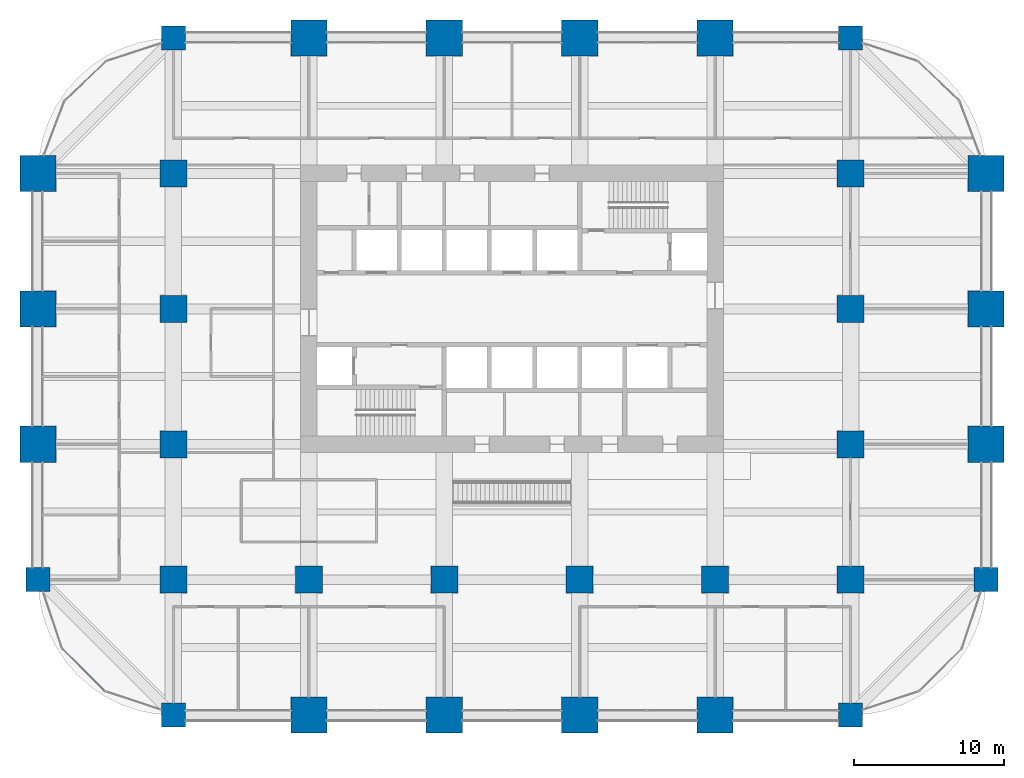
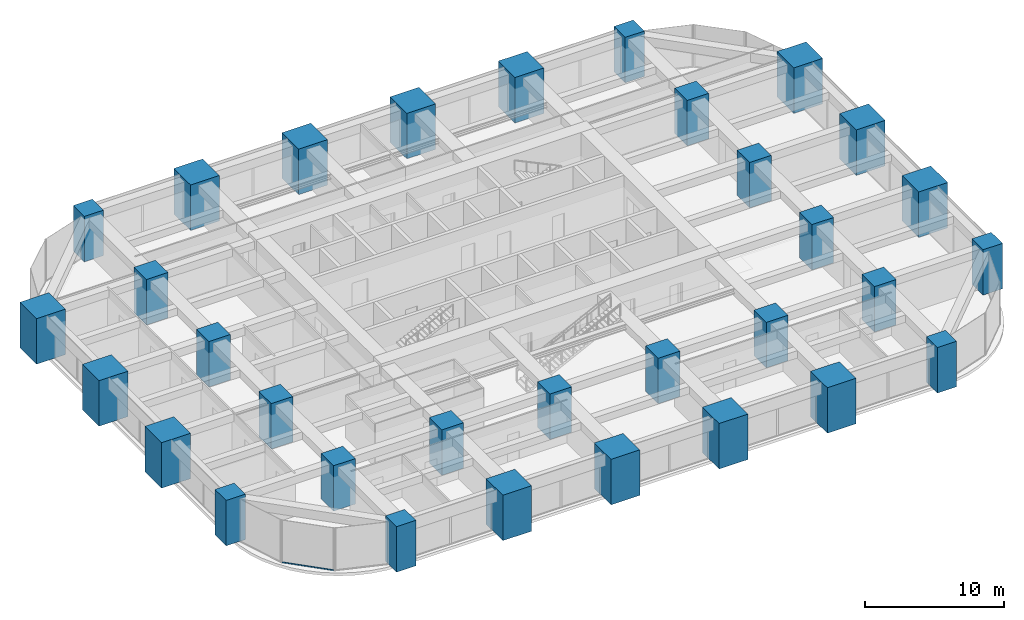
# One storey, part 1 of 41: 32 columns, 1 member, 1 element without a shape of its own.
"""IFC4 building model written with IfcOpenShell, lengths in metres."""

import ifcopenshell
import ifcopenshell.guid

model = None  # the IFC model being written
_history = None  # IfcOwnerHistory: only IFC2X3 demands one
_inside = {}  # id of a spatial element -> (the spatial element, [elements in it])
_under = {}  # id of a project, library or spatial element -> (it, [spatial elements below it])
_declared = {}  # id of a project -> (the project, [libraries it declares])
_typed = {}  # id of a type object -> (the type object, [elements of that type])
_made_of = {}  # id of a material, layer set ... -> (it, [elements and type objects made of it])


def new_model(schema):
    """Start an empty IFC model of exactly this schema.

    Asked for "IFC4X3", IfcOpenShell would pick the latest addendum, in which some entities
    have other attributes; the version numbers below select the first issue.
    IFC2X3 requires an IfcOwnerHistory on every rooted entity: one is made here for all.
    """
    global model, _history
    if schema == "IFC4X3":
        model = ifcopenshell.file(schema_version=(4, 3, 0, 0))
    else:
        model = ifcopenshell.file(schema=schema)
    _inside.clear()
    _under.clear()
    _declared.clear()
    _typed.clear()
    _made_of.clear()
    _history = None
    if model.schema == "IFC2X3":
        org = make("IfcOrganization", Name="unknown")
        user = make(
            "IfcPersonAndOrganization",
            ThePerson=make("IfcPerson", FamilyName="unknown"),
            TheOrganization=org,
        )
        app = make(
            "IfcApplication",
            ApplicationDeveloper=org,
            Version="unknown",
            ApplicationFullName="unknown",
            ApplicationIdentifier="unknown",
        )
        _history = make(
            "IfcOwnerHistory",
            OwningUser=user,
            OwningApplication=app,
            ChangeAction="ADDED",
            CreationDate=0,
        )
    return model


def make(cls, **values):
    """One entity of the class cls with the attributes given. An attribute that is None is left unset."""
    return model.create_entity(
        cls, **{name: value for name, value in values.items() if value is not None}
    )


def rooted(cls, **values):
    """An entity with a GlobalId (a new one), such as an element, a storey or a relation."""
    return make(cls, GlobalId=ifcopenshell.guid.new(), OwnerHistory=_history, **values)


def si_unit(unit_type, name, prefix=None):
    """IfcSIUnit, for example si_unit("LENGTHUNIT", "METRE", prefix="MILLI")."""
    return make("IfcSIUnit", UnitType=unit_type, Prefix=prefix, Name=name)


def assignment(units):
    """IfcUnitAssignment: the units of a project."""
    return None if units is None else make("IfcUnitAssignment", Units=units)


def point(xyz):
    """IfcCartesianPoint."""
    return None if xyz is None else make("IfcCartesianPoint", Coordinates=xyz)


def direction(xyz):
    """IfcDirection."""
    return None if xyz is None else make("IfcDirection", DirectionRatios=xyz)


def frame(location, z_axis=None, x_axis=None):
    """IfcAxis2Placement3D, a coordinate frame: its origin and axes. An axis left out is left unset."""
    return make(
        "IfcAxis2Placement3D",
        Location=point(location),
        Axis=direction(z_axis),
        RefDirection=direction(x_axis),
    )


def frame_2d(location, x_axis=None):
    """IfcAxis2Placement2D, a coordinate frame in the plane: its origin and x axis."""
    return make(
        "IfcAxis2Placement2D", Location=point(location), RefDirection=direction(x_axis)
    )


def origin():
    """The frame at (0, 0, 0) with its axes left unset."""
    return frame((0.0, 0.0, 0.0))


def origin_2d():
    """The frame at (0, 0) in the plane with its x axis left unset."""
    return frame_2d((0.0, 0.0))


def place(relative_to, where):
    """IfcLocalPlacement: puts the frame where relative to a parent placement (None: the world)."""
    return make(
        "IfcLocalPlacement", PlacementRelTo=relative_to, RelativePlacement=where
    )


def context(
    kind, dimensions, precision=None, world=None, true_north=None, identifier=None
):
    """IfcGeometricRepresentationContext, for example the 3D "Model" context."""
    return make(
        "IfcGeometricRepresentationContext",
        ContextIdentifier=identifier,
        ContextType=kind,
        CoordinateSpaceDimension=dimensions,
        Precision=precision,
        WorldCoordinateSystem=world,
        TrueNorth=true_north,
    )


def subcontext(parent, identifier, kind, view, scale=None):
    """IfcGeometricRepresentationSubContext, for example "Body" below "Model"."""
    return make(
        "IfcGeometricRepresentationSubContext",
        ContextIdentifier=identifier,
        ContextType=kind,
        ParentContext=parent,
        TargetScale=scale,
        TargetView=view,
    )


def project(units=None, contexts=None):
    """IfcProject with its units and contexts."""
    return rooted(
        "IfcProject",
        Name="project",
        RepresentationContexts=contexts,
        UnitsInContext=assignment(units),
    )


def spatial(cls, under=None, at=None, **own):
    """A site, building, storey or space (cls), placed at a placement, below another one or the project."""
    s = rooted(cls, ObjectPlacement=at, **own)
    if under is not None:
        _under.setdefault(under.id(), (under, []))[1].append(s)
    return s


def profile(cls, at=None, kind="AREA", **sizes):
    """A parametric profile (cls). Its sizes go by their IFC names, for example OverallWidth=200.0."""
    return make(cls, ProfileType=kind, Position=at, **sizes)


def rectangle(**sizes):
    """IfcRectangleProfileDef."""
    return profile("IfcRectangleProfileDef", **sizes)


def hollow_rectangle(**sizes):
    """IfcRectangleHollowProfileDef."""
    return profile("IfcRectangleHollowProfileDef", **sizes)


def extrude(swept, where, along, depth):
    """IfcExtrudedAreaSolid: the profile swept, set in the frame where, extruded along a direction by depth."""
    return make(
        "IfcExtrudedAreaSolid",
        SweptArea=swept,
        Position=where,
        ExtrudedDirection=direction(along),
        Depth=depth,
    )


def shape(context_of_items, identifier, shape_type, items):
    """IfcShapeRepresentation: the items that make up one representation, for example the "Body"."""
    return make(
        "IfcShapeRepresentation",
        ContextOfItems=context_of_items,
        RepresentationIdentifier=identifier,
        RepresentationType=shape_type,
        Items=items,
    )


def material(Name=None, Category=None):
    """IfcMaterial."""
    return make("IfcMaterial", Name=Name, Category=Category)


def material_profile(
    of_material, cross_section, Name=None, Category=None, Priority=None
):
    """IfcMaterialProfile: a cross section and its material."""
    return make(
        "IfcMaterialProfile",
        Name=Name,
        Material=of_material,
        Profile=cross_section,
        Priority=Priority,
        Category=Category,
    )


def profile_set(profiles, Name=None, composite=None):
    """IfcMaterialProfileSet."""
    return make(
        "IfcMaterialProfileSet",
        Name=Name,
        MaterialProfiles=profiles,
        CompositeProfile=composite,
    )


def made_of(thing, what):
    """Note that an element or type object is made of a material, layer set ...; save() writes the relation."""
    if what is not None:
        _made_of.setdefault(what.id(), (what, []))[1].append(thing)
    return thing


def type_object(cls, material=None, **own):
    """A type object (cls), such as IfcWallType, which elements share."""
    return made_of(rooted(cls, **own), material)


def element(
    cls,
    number,
    at=None,
    inside=None,
    cuts=None,
    type_object=None,
    material=None,
    context=None,
    identifier="Body",
    shape_type=None,
    held_by="IfcProductDefinitionShape",
    body=None,
    shapes=None,
    **own,
):
    """One element of the class cls, such as IfcWall. Its Tag is "e" and its number.

    at: its placement. inside: the storey or other place that contains it. cuts: it is an
    opening in that element (IfcRelVoidsElement). A single representation is given by context,
    identifier, shape_type and body (its items); several are given by shapes. held_by: the class
    of the entity that holds the representations. save() writes the other relations.
    """
    e = rooted(cls, Tag="e%d" % number, ObjectPlacement=at, **own)
    if body is not None:
        shapes = [shape(context, identifier, shape_type, body)]
    if shapes is not None:
        e.Representation = make(held_by, Representations=shapes)
    if inside is not None:
        _inside.setdefault(inside.id(), (inside, []))[1].append(e)
    if cuts is not None:
        rooted(
            "IfcRelVoidsElement", RelatingBuildingElement=cuts, RelatedOpeningElement=e
        )
    if type_object is not None:
        _typed.setdefault(type_object.id(), (type_object, []))[1].append(e)
    return made_of(e, material)


def aggregate(whole, parts):
    """IfcRelAggregates: a whole, such as a stair, and the parts it consists of."""
    return rooted("IfcRelAggregates", RelatingObject=whole, RelatedObjects=parts)


def save(model, path):
    """Write the relations noted so far, then the file.

    IfcRelAggregates (storeys below a building ...), IfcRelContainedInSpatialStructure (elements
    in a storey), IfcRelDefinesByType, IfcRelAssociatesMaterial and IfcRelDeclares: one each for
    every whole, place, type object, material and project.
    """
    for whole, parts in _under.values():
        aggregate(whole, parts)
    for where, things in _inside.values():
        rooted(
            "IfcRelContainedInSpatialStructure",
            RelatedElements=things,
            RelatingStructure=where,
        )
    for kind, things in _typed.values():
        rooted("IfcRelDefinesByType", RelatedObjects=things, RelatingType=kind)
    for what, things in _made_of.values():
        rooted("IfcRelAssociatesMaterial", RelatedObjects=things, RelatingMaterial=what)
    for by, libraries in _declared.values():
        rooted("IfcRelDeclares", RelatingContext=by, RelatedDefinitions=libraries)
    model.write(path)


model = new_model("IFC4")

# Units and contexts
model_context = context("Model", 3, precision=1e-05, world=origin(), true_north=direction((0.0, 1.0)))
body_context = subcontext(model_context, "Body", "Model", "MODEL_VIEW")
ifc_project = project(units=[si_unit("LENGTHUNIT", "METRE"), si_unit("AREAUNIT", "SQUARE_METRE"), si_unit("VOLUMEUNIT", "CUBIC_METRE"), si_unit("PLANEANGLEUNIT", "RADIAN"), si_unit("MASSUNIT", "GRAM", prefix="KILO")], contexts=[model_context])

# Site, building, storey
site_placement = place(None, origin())
site = spatial("IfcSite", under=ifc_project, at=site_placement, CompositionType="ELEMENT")
building_placement = place(site_placement, origin())
building = spatial("IfcBuilding", under=site, at=building_placement, Name="Zorevar Civic Tower", CompositionType="ELEMENT")
storey_placement = place(building_placement, frame((0.0, 0.0, 137.0)))
storey = spatial("IfcBuildingStorey", under=building, at=storey_placement, Name="L33", CompositionType="ELEMENT", Elevation=137.0)

# Columns
ifc_material_1 = material(Name="Concrete C50/60", Category="concrete")
ifc_material_profile_1 = material_profile(ifc_material_1, rectangle(XDim=1.60009765625, YDim=1.60009765625, at=origin_2d()), Name="RC 1600x1600")
ifc_profile_set_1 = profile_set([ifc_material_profile_1], Name="Concrete C50/60")
column_type_1 = type_object("IfcColumnType", Name="Column RC 1600x1600", PredefinedType="COLUMN", material=ifc_profile_set_1)
for number, where, z_axis, x_axis, name in (
    (1, (0.0, 9.0, 0.0), (0.0, 0.0, 1.0), (1.0, 0.0, 0.0), "Column 2B L33"),
    (2, (9.0, 0.0, 0.0), (0.0, 0.0, 1.0), (1.0, 0.0, 0.0), "Column 3A L33"),
    (3, (9.0, 45.0, 0.0), (0.0, 0.0, 1.0), (1.0, 0.0, 0.0), "Column 3F L33"),
    (4, (54.0, 0.0, 0.0), (0.0, 0.0, 1.0), (1.0, 0.0, 0.0), "Column 8A L33"),
    (5, (54.0, 45.0, 0.0), (0.0, 0.0, 1.0), (1.0, 0.0, 0.0), "Column 8F L33"),
    (6, (63.0, 9.0, 0.0), (0.0, 0.0, 1.0), (1.0, 0.0, 0.0), "Column 9B L33"),
):
    element("IfcColumn", number, at=place(storey_placement, frame(where, z_axis=z_axis, x_axis=x_axis)), inside=storey, type_object=column_type_1, Name=name, PredefinedType="COLUMN", context=body_context, shape_type="SweptSolid", body=[
        extrude(rectangle(XDim=1.60009765625, YDim=1.60009765625, at=origin_2d()), origin(), (0.0, 0.0, 1.0), 4.0),
    ])
ifc_material_2 = material(Name="Concrete C50/60", Category="concrete")
ifc_material_profile_2 = material_profile(ifc_material_2, rectangle(XDim=1.800048828125, YDim=1.800048828125, at=origin_2d()), Name="RC 1800x1800")
ifc_profile_set_2 = profile_set([ifc_material_profile_2], Name="Concrete C50/60")
column_type_2 = type_object("IfcColumnType", Name="Column RC 1800x1800", PredefinedType="COLUMN", material=ifc_profile_set_2)
for number, where, z_axis, x_axis, name in (
    (7, (9.0, 9.0, 0.0), (0.0, 0.0, 1.0), (1.0, 0.0, 0.0), "Column 3B L33"),
    (8, (9.0, 18.0, 0.0), (0.0, 0.0, 1.0), (1.0, 0.0, 0.0), "Column 3C L33"),
    (9, (9.0, 27.0, 0.0), (0.0, 0.0, 1.0), (1.0, 0.0, 0.0), "Column 3D L33"),
    (10, (9.0, 36.0, 0.0), (0.0, 0.0, 1.0), (1.0, 0.0, 0.0), "Column 3E L33"),
    (11, (18.0, 9.0, 0.0), (0.0, 0.0, 1.0), (1.0, 0.0, 0.0), "Column 4B L33"),
    (12, (27.0, 9.0, 0.0), (0.0, 0.0, 1.0), (1.0, 0.0, 0.0), "Column 5B L33"),
    (13, (36.0, 9.0, 0.0), (0.0, 0.0, 1.0), (1.0, 0.0, 0.0), "Column 6B L33"),
    (14, (45.0, 9.0, 0.0), (0.0, 0.0, 1.0), (1.0, 0.0, 0.0), "Column 7B L33"),
    (15, (54.0, 9.0, 0.0), (0.0, 0.0, 1.0), (1.0, 0.0, 0.0), "Column 8B L33"),
    (16, (54.0, 18.0, 0.0), (0.0, 0.0, 1.0), (1.0, 0.0, 0.0), "Column 8C L33"),
    (17, (54.0, 27.0, 0.0), (0.0, 0.0, 1.0), (1.0, 0.0, 0.0), "Column 8D L33"),
    (18, (54.0, 36.0, 0.0), (0.0, 0.0, 1.0), (1.0, 0.0, 0.0), "Column 8E L33"),
):
    element("IfcColumn", number, at=place(storey_placement, frame(where, z_axis=z_axis, x_axis=x_axis)), inside=storey, type_object=column_type_2, Name=name, PredefinedType="COLUMN", context=body_context, shape_type="SweptSolid", body=[
        extrude(rectangle(XDim=1.800048828125, YDim=1.800048828125, at=origin_2d()), origin(), (0.0, 0.0, 1.0), 4.0),
    ])
ifc_material_3 = material(Name="Concrete C50/60", Category="concrete")
ifc_material_profile_3 = material_profile(ifc_material_3, rectangle(XDim=2.39990234375, YDim=2.39990234375, at=origin_2d()), Name="RC 2400x2400")
ifc_profile_set_3 = profile_set([ifc_material_profile_3], Name="Concrete C50/60")
column_type_3 = type_object("IfcColumnType", Name="Mega column RC 2400x2400", PredefinedType="COLUMN", material=ifc_profile_set_3)
for number, where, z_axis, x_axis, name in (
    (19, (0.0, 18.0, 0.0), (0.0, 0.0, 1.0), (1.0, 0.0, 0.0), "Column 2C L33"),
    (20, (0.0, 27.0, 0.0), (0.0, 0.0, 1.0), (1.0, 0.0, 0.0), "Column 2D L33"),
    (21, (0.0, 36.0, 0.0), (0.0, 0.0, 1.0), (1.0, 0.0, 0.0), "Column 2E L33"),
    (22, (18.0, 0.0, 0.0), (0.0, 0.0, 1.0), (1.0, 0.0, 0.0), "Column 4A L33"),
    (23, (18.0, 45.0, 0.0), (0.0, 0.0, 1.0), (1.0, 0.0, 0.0), "Column 4F L33"),
    (24, (27.0, 0.0, 0.0), (0.0, 0.0, 1.0), (1.0, 0.0, 0.0), "Column 5A L33"),
    (25, (27.0, 45.0, 0.0), (0.0, 0.0, 1.0), (1.0, 0.0, 0.0), "Column 5F L33"),
    (26, (36.0, 0.0, 0.0), (0.0, 0.0, 1.0), (1.0, 0.0, 0.0), "Column 6A L33"),
    (27, (36.0, 45.0, 0.0), (0.0, 0.0, 1.0), (1.0, 0.0, 0.0), "Column 6F L33"),
    (28, (45.0, 0.0, 0.0), (0.0, 0.0, 1.0), (1.0, 0.0, 0.0), "Column 7A L33"),
    (29, (45.0, 45.0, 0.0), (0.0, 0.0, 1.0), (1.0, 0.0, 0.0), "Column 7F L33"),
    (30, (63.0, 18.0, 0.0), (0.0, 0.0, 1.0), (1.0, 0.0, 0.0), "Column 9C L33"),
    (31, (63.0, 27.0, 0.0), (0.0, 0.0, 1.0), (1.0, 0.0, 0.0), "Column 9D L33"),
    (32, (63.0, 36.0, 0.0), (0.0, 0.0, 1.0), (1.0, 0.0, 0.0), "Column 9E L33"),
):
    element("IfcColumn", number, at=place(storey_placement, frame(where, z_axis=z_axis, x_axis=x_axis)), inside=storey, type_object=column_type_3, Name=name, PredefinedType="COLUMN", context=body_context, shape_type="SweptSolid", body=[
        extrude(rectangle(XDim=2.39990234375, YDim=2.39990234375, at=origin_2d()), origin(), (0.0, 0.0, 1.0), 4.0),
    ])

# Curtain wall, member
ifc_material_4 = material(Name="Dark grey solar-control glass in black aluminium frame", Category="aluminium")
curtain_wall_type = type_object("IfcCurtainWallType", Name="Curtain wall CW3 mid zone", PredefinedType="NOTDEFINED", material=ifc_material_4)
curtain_wall_placement = place(storey_placement, origin())
curtain_wall = element("IfcCurtainWall", 33, at=curtain_wall_placement, inside=storey, type_object=curtain_wall_type, Name="CW3 L33", PredefinedType="NOTDEFINED")
ifc_material_5 = material(Name="Aluminium, black anodised", Category="aluminium")
ifc_material_profile_4 = material_profile(ifc_material_5, hollow_rectangle(XDim=0.06005859375, YDim=0.1201171875, WallThickness=0.0029296875, at=origin_2d()), Name="AL 120x60x3")
ifc_profile_set_4 = profile_set([ifc_material_profile_4], Name="Aluminium, black anodised")
member_type = type_object("IfcMemberType", Name="CW3 transom AL 120x60x3", PredefinedType="USERDEFINED", material=ifc_profile_set_4)
member_placement = place(storey_placement, frame((1.64501953125, 4.37841796875, 0.030029296875), z_axis=(0.707106781187, -0.707106781187, 0.0), x_axis=(0.707106781187, 0.707106781187, 0.0)))
member = element("IfcMember", 34, at=member_placement, type_object=member_type, Name="CW3 sill transom", ObjectType="TRANSOM", PredefinedType="USERDEFINED", context=body_context, shape_type="SweptSolid", body=[
    extrude(hollow_rectangle(XDim=0.06005859375, YDim=0.1201171875, WallThickness=0.0029296875, at=origin_2d()), origin(), (0.0, 0.0, 1.0), 3.86572265625),
])
aggregate(curtain_wall, [member])

save(model, "model.ifc")
